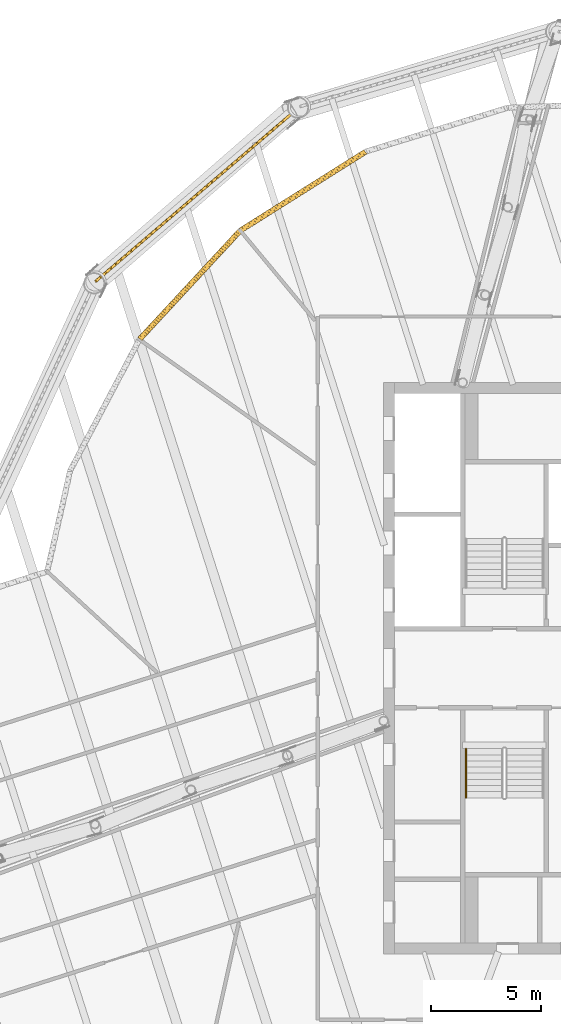
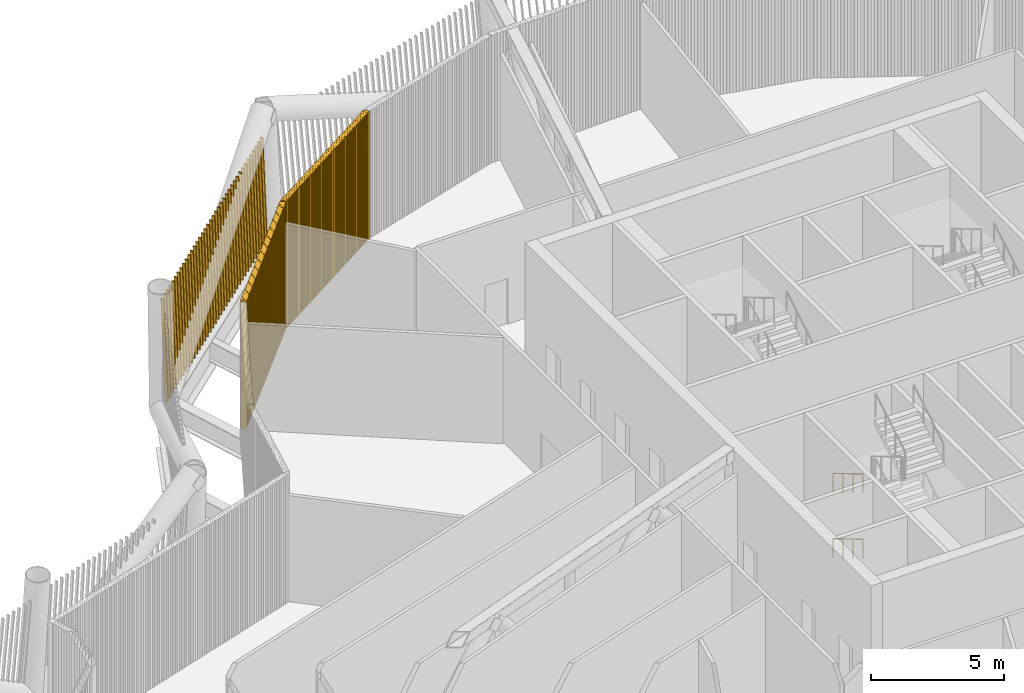
# One storey, part 34 of 40: 3 shading devices, 2 railings.
"""IFC4 building model written with IfcOpenShell, lengths in metres."""

import ifcopenshell
import ifcopenshell.guid

model = None  # the IFC model being written
_history = None  # IfcOwnerHistory: only IFC2X3 demands one
_inside = {}  # id of a spatial element -> (the spatial element, [elements in it])
_under = {}  # id of a project, library or spatial element -> (it, [spatial elements below it])
_declared = {}  # id of a project -> (the project, [libraries it declares])
_typed = {}  # id of a type object -> (the type object, [elements of that type])
_made_of = {}  # id of a material, layer set ... -> (it, [elements and type objects made of it])


def new_model(schema):
    """Start an empty IFC model of exactly this schema.

    Asked for "IFC4X3", IfcOpenShell would pick the latest addendum, in which some entities
    have other attributes; the version numbers below select the first issue.
    IFC2X3 requires an IfcOwnerHistory on every rooted entity: one is made here for all.
    """
    global model, _history
    if schema == "IFC4X3":
        model = ifcopenshell.file(schema_version=(4, 3, 0, 0))
    else:
        model = ifcopenshell.file(schema=schema)
    _inside.clear()
    _under.clear()
    _declared.clear()
    _typed.clear()
    _made_of.clear()
    _history = None
    if model.schema == "IFC2X3":
        org = make("IfcOrganization", Name="unknown")
        user = make(
            "IfcPersonAndOrganization",
            ThePerson=make("IfcPerson", FamilyName="unknown"),
            TheOrganization=org,
        )
        app = make(
            "IfcApplication",
            ApplicationDeveloper=org,
            Version="unknown",
            ApplicationFullName="unknown",
            ApplicationIdentifier="unknown",
        )
        _history = make(
            "IfcOwnerHistory",
            OwningUser=user,
            OwningApplication=app,
            ChangeAction="ADDED",
            CreationDate=0,
        )
    return model


def make(cls, **values):
    """One entity of the class cls with the attributes given. An attribute that is None is left unset."""
    return model.create_entity(
        cls, **{name: value for name, value in values.items() if value is not None}
    )


def rooted(cls, **values):
    """An entity with a GlobalId (a new one), such as an element, a storey or a relation."""
    return make(cls, GlobalId=ifcopenshell.guid.new(), OwnerHistory=_history, **values)


def si_unit(unit_type, name, prefix=None):
    """IfcSIUnit, for example si_unit("LENGTHUNIT", "METRE", prefix="MILLI")."""
    return make("IfcSIUnit", UnitType=unit_type, Prefix=prefix, Name=name)


def assignment(units):
    """IfcUnitAssignment: the units of a project."""
    return None if units is None else make("IfcUnitAssignment", Units=units)


def point(xyz):
    """IfcCartesianPoint."""
    return None if xyz is None else make("IfcCartesianPoint", Coordinates=xyz)


def direction(xyz):
    """IfcDirection."""
    return None if xyz is None else make("IfcDirection", DirectionRatios=xyz)


def frame(location, z_axis=None, x_axis=None):
    """IfcAxis2Placement3D, a coordinate frame: its origin and axes. An axis left out is left unset."""
    return make(
        "IfcAxis2Placement3D",
        Location=point(location),
        Axis=direction(z_axis),
        RefDirection=direction(x_axis),
    )


def frame_2d(location, x_axis=None):
    """IfcAxis2Placement2D, a coordinate frame in the plane: its origin and x axis."""
    return make(
        "IfcAxis2Placement2D", Location=point(location), RefDirection=direction(x_axis)
    )


def origin():
    """The frame at (0, 0, 0) with its axes left unset."""
    return frame((0.0, 0.0, 0.0))


def origin_2d():
    """The frame at (0, 0) in the plane with its x axis left unset."""
    return frame_2d((0.0, 0.0))


def place(relative_to, where):
    """IfcLocalPlacement: puts the frame where relative to a parent placement (None: the world)."""
    return make(
        "IfcLocalPlacement", PlacementRelTo=relative_to, RelativePlacement=where
    )


def context(
    kind, dimensions, precision=None, world=None, true_north=None, identifier=None
):
    """IfcGeometricRepresentationContext, for example the 3D "Model" context."""
    return make(
        "IfcGeometricRepresentationContext",
        ContextIdentifier=identifier,
        ContextType=kind,
        CoordinateSpaceDimension=dimensions,
        Precision=precision,
        WorldCoordinateSystem=world,
        TrueNorth=true_north,
    )


def subcontext(parent, identifier, kind, view, scale=None):
    """IfcGeometricRepresentationSubContext, for example "Body" below "Model"."""
    return make(
        "IfcGeometricRepresentationSubContext",
        ContextIdentifier=identifier,
        ContextType=kind,
        ParentContext=parent,
        TargetScale=scale,
        TargetView=view,
    )


def project(units=None, contexts=None):
    """IfcProject with its units and contexts."""
    return rooted(
        "IfcProject",
        Name="project",
        RepresentationContexts=contexts,
        UnitsInContext=assignment(units),
    )


def spatial(cls, under=None, at=None, **own):
    """A site, building, storey or space (cls), placed at a placement, below another one or the project."""
    s = rooted(cls, ObjectPlacement=at, **own)
    if under is not None:
        _under.setdefault(under.id(), (under, []))[1].append(s)
    return s


def profile(cls, at=None, kind="AREA", **sizes):
    """A parametric profile (cls). Its sizes go by their IFC names, for example OverallWidth=200.0."""
    return make(cls, ProfileType=kind, Position=at, **sizes)


def rectangle(**sizes):
    """IfcRectangleProfileDef."""
    return profile("IfcRectangleProfileDef", **sizes)


def circle(**sizes):
    """IfcCircleProfileDef."""
    return profile("IfcCircleProfileDef", **sizes)


def composite_profile(profiles, kind="AREA"):
    """IfcCompositeProfileDef: several profiles as one."""
    return make("IfcCompositeProfileDef", ProfileType=kind, Profiles=profiles)


def extrude(swept, where, along, depth):
    """IfcExtrudedAreaSolid: the profile swept, set in the frame where, extruded along a direction by depth."""
    return make(
        "IfcExtrudedAreaSolid",
        SweptArea=swept,
        Position=where,
        ExtrudedDirection=direction(along),
        Depth=depth,
    )


def shape(context_of_items, identifier, shape_type, items):
    """IfcShapeRepresentation: the items that make up one representation, for example the "Body"."""
    return make(
        "IfcShapeRepresentation",
        ContextOfItems=context_of_items,
        RepresentationIdentifier=identifier,
        RepresentationType=shape_type,
        Items=items,
    )


def material(Name=None, Category=None):
    """IfcMaterial."""
    return make("IfcMaterial", Name=Name, Category=Category)


def made_of(thing, what):
    """Note that an element or type object is made of a material, layer set ...; save() writes the relation."""
    if what is not None:
        _made_of.setdefault(what.id(), (what, []))[1].append(thing)
    return thing


def type_object(cls, material=None, **own):
    """A type object (cls), such as IfcWallType, which elements share."""
    return made_of(rooted(cls, **own), material)


def element(
    cls,
    number,
    at=None,
    inside=None,
    cuts=None,
    type_object=None,
    material=None,
    context=None,
    identifier="Body",
    shape_type=None,
    held_by="IfcProductDefinitionShape",
    body=None,
    shapes=None,
    **own,
):
    """One element of the class cls, such as IfcWall. Its Tag is "e" and its number.

    at: its placement. inside: the storey or other place that contains it. cuts: it is an
    opening in that element (IfcRelVoidsElement). A single representation is given by context,
    identifier, shape_type and body (its items); several are given by shapes. held_by: the class
    of the entity that holds the representations. save() writes the other relations.
    """
    e = rooted(cls, Tag="e%d" % number, ObjectPlacement=at, **own)
    if body is not None:
        shapes = [shape(context, identifier, shape_type, body)]
    if shapes is not None:
        e.Representation = make(held_by, Representations=shapes)
    if inside is not None:
        _inside.setdefault(inside.id(), (inside, []))[1].append(e)
    if cuts is not None:
        rooted(
            "IfcRelVoidsElement", RelatingBuildingElement=cuts, RelatedOpeningElement=e
        )
    if type_object is not None:
        _typed.setdefault(type_object.id(), (type_object, []))[1].append(e)
    return made_of(e, material)


def aggregate(whole, parts):
    """IfcRelAggregates: a whole, such as a stair, and the parts it consists of."""
    return rooted("IfcRelAggregates", RelatingObject=whole, RelatedObjects=parts)


def save(model, path):
    """Write the relations noted so far, then the file.

    IfcRelAggregates (storeys below a building ...), IfcRelContainedInSpatialStructure (elements
    in a storey), IfcRelDefinesByType, IfcRelAssociatesMaterial and IfcRelDeclares: one each for
    every whole, place, type object, material and project.
    """
    for whole, parts in _under.values():
        aggregate(whole, parts)
    for where, things in _inside.values():
        rooted(
            "IfcRelContainedInSpatialStructure",
            RelatedElements=things,
            RelatingStructure=where,
        )
    for kind, things in _typed.values():
        rooted("IfcRelDefinesByType", RelatedObjects=things, RelatingType=kind)
    for what, things in _made_of.values():
        rooted("IfcRelAssociatesMaterial", RelatedObjects=things, RelatingMaterial=what)
    for by, libraries in _declared.values():
        rooted("IfcRelDeclares", RelatingContext=by, RelatedDefinitions=libraries)
    model.write(path)


model = new_model("IFC4")

# Units and contexts
model_context = context("Model", 3, precision=1e-05, world=origin(), true_north=direction((0.0, 1.0)))
body_context = subcontext(model_context, "Body", "Model", "MODEL_VIEW")
ifc_project = project(units=[si_unit("LENGTHUNIT", "METRE"), si_unit("AREAUNIT", "SQUARE_METRE"), si_unit("VOLUMEUNIT", "CUBIC_METRE"), si_unit("PLANEANGLEUNIT", "RADIAN"), si_unit("MASSUNIT", "GRAM", prefix="KILO")], contexts=[model_context])

# Site, building, storey
site_placement = place(None, origin())
site = spatial("IfcSite", under=ifc_project, at=site_placement, CompositionType="ELEMENT")
building_placement = place(site_placement, origin())
building = spatial("IfcBuilding", under=site, at=building_placement, Name="Tarsis Ring Headquarters", CompositionType="ELEMENT")
storey_placement = place(building_placement, frame((0.0, 0.0, 354.800048828125)))
storey = spatial("IfcBuildingStorey", under=building, at=storey_placement, Name="L84", CompositionType="ELEMENT", Elevation=354.800048828125)

# Railings
ifc_material_1 = material(Name="Steel S355", Category="steel")
railing_type = type_object("IfcRailingType", Name="Core stair handrail 900", PredefinedType="HANDRAIL", material=ifc_material_1)
for number, where, name in (
    (1, (-6.25, -3.659912109375, 0.16650390625), "L84 ST3 stair handrail 1"),
    (2, (-6.25, -3.659912109375, 3.16650390625), "L84 ST3 stair handrail 3"),
):
    element("IfcRailing", number, at=place(storey_placement, frame(where)), inside=storey, type_object=railing_type, Name=name, PredefinedType="HANDRAIL", context=body_context, shape_type="SweptSolid", body=[
        extrude(circle(Radius=0.02392578125, at=origin_2d()), frame((0.0, 0.0, 0.8759765625), z_axis=(0.0, -0.859264461869, 0.511531606619), x_axis=(1.0, 0.0, 0.0)), (0.0, 0.0, 1.0), 2.60693359375),
        extrude(circle(Radius=0.02099609375, at=origin_2d()), origin(), (0.0, 0.0, 1.0), 0.851806640625),
        extrude(circle(Radius=0.02099609375, at=origin_2d()), frame((0.0, -0.74658203125, 0.444580078125)), (0.0, 0.0, 1.0), 0.851806640625),
        extrude(circle(Radius=0.02099609375, at=origin_2d()), frame((0.0, -1.493408203125, 0.888916015625)), (0.0, 0.0, 1.0), 0.851806640625),
        extrude(circle(Radius=0.02099609375, at=origin_2d()), frame((0.0, -2.239990234375, 1.33349609375)), (0.0, 0.0, 1.0), 0.851806640625),
    ])

# Shading devices
ifc_material_2 = material(Name="Aluminium louvre", Category="aluminium")
shading_device_type_1 = type_object("IfcShadingDeviceType", Name="Plant louvre fin", PredefinedType="USERDEFINED", material=ifc_material_2)
shading_device_1_placement = place(storey_placement, frame((-10.817626953125, 23.501708984375, 0.0), z_axis=(0.0, 0.0, 1.0), x_axis=(-0.846360598576, -0.532580270231, 0.0)))
element("IfcShadingDevice", 3, at=shading_device_1_placement, inside=storey, type_object=shading_device_type_1, Name="Louvre L84-27", ObjectType="Louvre", PredefinedType="USERDEFINED", context=body_context, shape_type="SweptSolid", body=[
    extrude(composite_profile([rectangle(XDim=0.1201171875, YDim=0.239990234375, at=frame_2d((0.076171875, 0.0), x_axis=(0.990268068742, 0.13917310096))), rectangle(XDim=0.1201171875, YDim=0.239990234375, at=frame_2d((0.202392578125, 0.0), x_axis=(0.990268068742, 0.13917310096))), rectangle(XDim=0.1201171875, YDim=0.239990234375, at=frame_2d((0.328857421875, 0.0), x_axis=(0.990268068742, 0.13917310096))), rectangle(XDim=0.1201171875, YDim=0.239990234375, at=frame_2d((0.455078125, 0.0), x_axis=(0.990268068742, 0.13917310096))), rectangle(XDim=0.1201171875, YDim=0.239990234375, at=frame_2d((0.58154296875, 0.0), x_axis=(0.990268068742, 0.13917310096))), rectangle(XDim=0.1201171875, YDim=0.239990234375, at=frame_2d((0.707763671875, 0.0), x_axis=(0.990268068742, 0.13917310096))), rectangle(XDim=0.1201171875, YDim=0.239990234375, at=frame_2d((0.834228515625, 0.0), x_axis=(0.990268068742, 0.13917310096))), rectangle(XDim=0.1201171875, YDim=0.239990234375, at=frame_2d((0.96044921875, 0.0), x_axis=(0.990268068742, 0.13917310096))), rectangle(XDim=0.1201171875, YDim=0.239990234375, at=frame_2d((1.0869140625, 0.0), x_axis=(0.990268068742, 0.13917310096))), rectangle(XDim=0.1201171875, YDim=0.239990234375, at=frame_2d((1.213134765625, 0.0), x_axis=(0.990268068742, 0.13917310096))), rectangle(XDim=0.1201171875, YDim=0.239990234375, at=frame_2d((1.339599609375, 0.0), x_axis=(0.990268068742, 0.13917310096))), rectangle(XDim=0.1201171875, YDim=0.239990234375, at=frame_2d((1.4658203125, 0.0), x_axis=(0.990268068742, 0.13917310096))), rectangle(XDim=0.1201171875, YDim=0.239990234375, at=frame_2d((1.59228515625, 0.0), x_axis=(0.990268068742, 0.13917310096))), rectangle(XDim=0.1201171875, YDim=0.239990234375, at=frame_2d((1.718505859375, 0.0), x_axis=(0.990268068742, 0.13917310096))), rectangle(XDim=0.1201171875, YDim=0.239990234375, at=frame_2d((1.8447265625, 0.0), x_axis=(0.990268068742, 0.13917310096))), rectangle(XDim=0.1201171875, YDim=0.239990234375, at=frame_2d((1.97119140625, 0.0), x_axis=(0.990268068742, 0.13917310096))), rectangle(XDim=0.1201171875, YDim=0.239990234375, at=frame_2d((2.097412109375, 0.0), x_axis=(0.990268068742, 0.13917310096))), rectangle(XDim=0.1201171875, YDim=0.239990234375, at=frame_2d((2.223876953125, 0.0), x_axis=(0.990268068742, 0.13917310096))), rectangle(XDim=0.1201171875, YDim=0.239990234375, at=frame_2d((2.35009765625, 0.0), x_axis=(0.990268068742, 0.13917310096))), rectangle(XDim=0.1201171875, YDim=0.239990234375, at=frame_2d((2.4765625, 0.0), x_axis=(0.990268068742, 0.13917310096))), rectangle(XDim=0.1201171875, YDim=0.239990234375, at=frame_2d((2.602783203125, 0.0), x_axis=(0.990268068742, 0.13917310096))), rectangle(XDim=0.1201171875, YDim=0.239990234375, at=frame_2d((2.729248046875, 0.0), x_axis=(0.990268068742, 0.13917310096))), rectangle(XDim=0.1201171875, YDim=0.239990234375, at=frame_2d((2.85546875, 0.0), x_axis=(0.990268068742, 0.13917310096))), rectangle(XDim=0.1201171875, YDim=0.239990234375, at=frame_2d((2.98193359375, 0.0), x_axis=(0.990268068742, 0.13917310096))), rectangle(XDim=0.1201171875, YDim=0.239990234375, at=frame_2d((3.108154296875, 0.0), x_axis=(0.990268068742, 0.13917310096))), rectangle(XDim=0.1201171875, YDim=0.239990234375, at=frame_2d((3.234619140625, 0.0), x_axis=(0.990268068742, 0.13917310096))), rectangle(XDim=0.1201171875, YDim=0.239990234375, at=frame_2d((3.36083984375, 0.0), x_axis=(0.990268068742, 0.13917310096))), rectangle(XDim=0.1201171875, YDim=0.239990234375, at=frame_2d((3.487060546875, 0.0), x_axis=(0.990268068742, 0.13917310096))), rectangle(XDim=0.1201171875, YDim=0.239990234375, at=frame_2d((3.613525390625, 0.0), x_axis=(0.990268068742, 0.13917310096))), rectangle(XDim=0.1201171875, YDim=0.239990234375, at=frame_2d((3.73974609375, 0.0), x_axis=(0.990268068742, 0.13917310096))), rectangle(XDim=0.1201171875, YDim=0.239990234375, at=frame_2d((3.8662109375, 0.0), x_axis=(0.990268068742, 0.13917310096))), rectangle(XDim=0.1201171875, YDim=0.239990234375, at=frame_2d((3.992431640625, 0.0), x_axis=(0.990268068742, 0.13917310096))), rectangle(XDim=0.1201171875, YDim=0.239990234375, at=frame_2d((4.118896484375, 0.0), x_axis=(0.990268068742, 0.13917310096))), rectangle(XDim=0.1201171875, YDim=0.239990234375, at=frame_2d((4.2451171875, 0.0), x_axis=(0.990268068742, 0.13917310096))), rectangle(XDim=0.1201171875, YDim=0.239990234375, at=frame_2d((4.37158203125, 0.0), x_axis=(0.990268068742, 0.13917310096))), rectangle(XDim=0.1201171875, YDim=0.239990234375, at=frame_2d((4.497802734375, 0.0), x_axis=(0.990268068742, 0.13917310096))), rectangle(XDim=0.1201171875, YDim=0.239990234375, at=frame_2d((4.624267578125, 0.0), x_axis=(0.990268068742, 0.13917310096))), rectangle(XDim=0.1201171875, YDim=0.239990234375, at=frame_2d((4.75048828125, 0.0), x_axis=(0.990268068742, 0.13917310096))), rectangle(XDim=0.1201171875, YDim=0.239990234375, at=frame_2d((4.876953125, 0.0), x_axis=(0.990268068742, 0.13917310096))), rectangle(XDim=0.1201171875, YDim=0.239990234375, at=frame_2d((5.003173828125, 0.0), x_axis=(0.990268068742, 0.13917310096))), rectangle(XDim=0.1201171875, YDim=0.239990234375, at=frame_2d((5.12939453125, 0.0), x_axis=(0.990268068742, 0.13917310096))), rectangle(XDim=0.1201171875, YDim=0.239990234375, at=frame_2d((5.255859375, 0.0), x_axis=(0.990268068742, 0.13917310096))), rectangle(XDim=0.1201171875, YDim=0.239990234375, at=frame_2d((5.382080078125, 0.0), x_axis=(0.990268068742, 0.13917310096))), rectangle(XDim=0.1201171875, YDim=0.239990234375, at=frame_2d((5.508544921875, 0.0), x_axis=(0.990268068742, 0.13917310096))), rectangle(XDim=0.1201171875, YDim=0.239990234375, at=frame_2d((5.634765625, 0.0), x_axis=(0.990268068742, 0.13917310096))), rectangle(XDim=0.1201171875, YDim=0.239990234375, at=frame_2d((5.76123046875, 0.0), x_axis=(0.990268068742, 0.13917310096))), rectangle(XDim=0.1201171875, YDim=0.239990234375, at=frame_2d((5.887451171875, 0.0), x_axis=(0.990268068742, 0.13917310096))), rectangle(XDim=0.1201171875, YDim=0.239990234375, at=frame_2d((6.013916015625, 0.0), x_axis=(0.990268068742, 0.13917310096))), rectangle(XDim=0.1201171875, YDim=0.239990234375, at=frame_2d((6.14013671875, 0.0), x_axis=(0.990268068742, 0.13917310096))), rectangle(XDim=0.1201171875, YDim=0.239990234375, at=frame_2d((6.2666015625, 0.0), x_axis=(0.990268068742, 0.13917310096))), rectangle(XDim=0.1201171875, YDim=0.239990234375, at=frame_2d((6.392822265625, 0.0), x_axis=(0.990268068742, 0.13917310096))), rectangle(XDim=0.1201171875, YDim=0.239990234375, at=frame_2d((6.519287109375, 0.0), x_axis=(0.990268068742, 0.13917310096))), rectangle(XDim=0.1201171875, YDim=0.239990234375, at=frame_2d((6.6455078125, 0.0), x_axis=(0.990268068742, 0.13917310096)))]), origin(), (0.0, 0.0, 1.0), 5.83984375),
])
shading_device_2_placement = place(storey_placement, frame((-16.53173828125, 19.901123046875, 0.0), z_axis=(0.0, 0.0, 1.0), x_axis=(-0.679706512658, -0.733500417711, 0.0)))
element("IfcShadingDevice", 4, at=shading_device_2_placement, inside=storey, type_object=shading_device_type_1, Name="Louvre L84-28", ObjectType="Louvre", PredefinedType="USERDEFINED", context=body_context, shape_type="SweptSolid", body=[
    extrude(composite_profile([rectangle(XDim=0.1201171875, YDim=0.239990234375, at=frame_2d((0.076171875, 0.0), x_axis=(0.990268068742, 0.13917310096))), rectangle(XDim=0.1201171875, YDim=0.239990234375, at=frame_2d((0.202392578125, 0.0), x_axis=(0.990268068742, 0.13917310096))), rectangle(XDim=0.1201171875, YDim=0.239990234375, at=frame_2d((0.328857421875, 0.0), x_axis=(0.990268068742, 0.13917310096))), rectangle(XDim=0.1201171875, YDim=0.239990234375, at=frame_2d((0.455078125, 0.0), x_axis=(0.990268068742, 0.13917310096))), rectangle(XDim=0.1201171875, YDim=0.239990234375, at=frame_2d((0.58154296875, 0.0), x_axis=(0.990268068742, 0.13917310096))), rectangle(XDim=0.1201171875, YDim=0.239990234375, at=frame_2d((0.707763671875, 0.0), x_axis=(0.990268068742, 0.13917310096))), rectangle(XDim=0.1201171875, YDim=0.239990234375, at=frame_2d((0.834228515625, 0.0), x_axis=(0.990268068742, 0.13917310096))), rectangle(XDim=0.1201171875, YDim=0.239990234375, at=frame_2d((0.96044921875, 0.0), x_axis=(0.990268068742, 0.13917310096))), rectangle(XDim=0.1201171875, YDim=0.239990234375, at=frame_2d((1.0869140625, 0.0), x_axis=(0.990268068742, 0.13917310096))), rectangle(XDim=0.1201171875, YDim=0.239990234375, at=frame_2d((1.213134765625, 0.0), x_axis=(0.990268068742, 0.13917310096))), rectangle(XDim=0.1201171875, YDim=0.239990234375, at=frame_2d((1.33935546875, 0.0), x_axis=(0.990268068742, 0.13917310096))), rectangle(XDim=0.1201171875, YDim=0.239990234375, at=frame_2d((1.4658203125, 0.0), x_axis=(0.990268068742, 0.13917310096))), rectangle(XDim=0.1201171875, YDim=0.239990234375, at=frame_2d((1.592041015625, 0.0), x_axis=(0.990268068742, 0.13917310096))), rectangle(XDim=0.1201171875, YDim=0.239990234375, at=frame_2d((1.718505859375, 0.0), x_axis=(0.990268068742, 0.13917310096))), rectangle(XDim=0.1201171875, YDim=0.239990234375, at=frame_2d((1.8447265625, 0.0), x_axis=(0.990268068742, 0.13917310096))), rectangle(XDim=0.1201171875, YDim=0.239990234375, at=frame_2d((1.97119140625, 0.0), x_axis=(0.990268068742, 0.13917310096))), rectangle(XDim=0.1201171875, YDim=0.239990234375, at=frame_2d((2.097412109375, 0.0), x_axis=(0.990268068742, 0.13917310096))), rectangle(XDim=0.1201171875, YDim=0.239990234375, at=frame_2d((2.223876953125, 0.0), x_axis=(0.990268068742, 0.13917310096))), rectangle(XDim=0.1201171875, YDim=0.239990234375, at=frame_2d((2.35009765625, 0.0), x_axis=(0.990268068742, 0.13917310096))), rectangle(XDim=0.1201171875, YDim=0.239990234375, at=frame_2d((2.476318359375, 0.0), x_axis=(0.990268068742, 0.13917310096))), rectangle(XDim=0.1201171875, YDim=0.239990234375, at=frame_2d((2.602783203125, 0.0), x_axis=(0.990268068742, 0.13917310096))), rectangle(XDim=0.1201171875, YDim=0.239990234375, at=frame_2d((2.72900390625, 0.0), x_axis=(0.990268068742, 0.13917310096))), rectangle(XDim=0.1201171875, YDim=0.239990234375, at=frame_2d((2.85546875, 0.0), x_axis=(0.990268068742, 0.13917310096))), rectangle(XDim=0.1201171875, YDim=0.239990234375, at=frame_2d((2.981689453125, 0.0), x_axis=(0.990268068742, 0.13917310096))), rectangle(XDim=0.1201171875, YDim=0.239990234375, at=frame_2d((3.108154296875, 0.0), x_axis=(0.990268068742, 0.13917310096))), rectangle(XDim=0.1201171875, YDim=0.239990234375, at=frame_2d((3.234375, 0.0), x_axis=(0.990268068742, 0.13917310096))), rectangle(XDim=0.1201171875, YDim=0.239990234375, at=frame_2d((3.36083984375, 0.0), x_axis=(0.990268068742, 0.13917310096))), rectangle(XDim=0.1201171875, YDim=0.239990234375, at=frame_2d((3.487060546875, 0.0), x_axis=(0.990268068742, 0.13917310096))), rectangle(XDim=0.1201171875, YDim=0.239990234375, at=frame_2d((3.61328125, 0.0), x_axis=(0.990268068742, 0.13917310096))), rectangle(XDim=0.1201171875, YDim=0.239990234375, at=frame_2d((3.73974609375, 0.0), x_axis=(0.990268068742, 0.13917310096))), rectangle(XDim=0.1201171875, YDim=0.239990234375, at=frame_2d((3.865966796875, 0.0), x_axis=(0.990268068742, 0.13917310096))), rectangle(XDim=0.1201171875, YDim=0.239990234375, at=frame_2d((3.992431640625, 0.0), x_axis=(0.990268068742, 0.13917310096))), rectangle(XDim=0.1201171875, YDim=0.239990234375, at=frame_2d((4.11865234375, 0.0), x_axis=(0.990268068742, 0.13917310096))), rectangle(XDim=0.1201171875, YDim=0.239990234375, at=frame_2d((4.2451171875, 0.0), x_axis=(0.990268068742, 0.13917310096))), rectangle(XDim=0.1201171875, YDim=0.239990234375, at=frame_2d((4.371337890625, 0.0), x_axis=(0.990268068742, 0.13917310096))), rectangle(XDim=0.1201171875, YDim=0.239990234375, at=frame_2d((4.49755859375, 0.0), x_axis=(0.990268068742, 0.13917310096))), rectangle(XDim=0.1201171875, YDim=0.239990234375, at=frame_2d((4.6240234375, 0.0), x_axis=(0.990268068742, 0.13917310096))), rectangle(XDim=0.1201171875, YDim=0.239990234375, at=frame_2d((4.750244140625, 0.0), x_axis=(0.990268068742, 0.13917310096))), rectangle(XDim=0.1201171875, YDim=0.239990234375, at=frame_2d((4.876708984375, 0.0), x_axis=(0.990268068742, 0.13917310096))), rectangle(XDim=0.1201171875, YDim=0.239990234375, at=frame_2d((5.0029296875, 0.0), x_axis=(0.990268068742, 0.13917310096))), rectangle(XDim=0.1201171875, YDim=0.239990234375, at=frame_2d((5.12939453125, 0.0), x_axis=(0.990268068742, 0.13917310096))), rectangle(XDim=0.1201171875, YDim=0.239990234375, at=frame_2d((5.255615234375, 0.0), x_axis=(0.990268068742, 0.13917310096))), rectangle(XDim=0.1201171875, YDim=0.239990234375, at=frame_2d((5.382080078125, 0.0), x_axis=(0.990268068742, 0.13917310096))), rectangle(XDim=0.1201171875, YDim=0.239990234375, at=frame_2d((5.50830078125, 0.0), x_axis=(0.990268068742, 0.13917310096))), rectangle(XDim=0.1201171875, YDim=0.239990234375, at=frame_2d((5.634521484375, 0.0), x_axis=(0.990268068742, 0.13917310096))), rectangle(XDim=0.1201171875, YDim=0.239990234375, at=frame_2d((5.760986328125, 0.0), x_axis=(0.990268068742, 0.13917310096))), rectangle(XDim=0.1201171875, YDim=0.239990234375, at=frame_2d((5.88720703125, 0.0), x_axis=(0.990268068742, 0.13917310096))), rectangle(XDim=0.1201171875, YDim=0.239990234375, at=frame_2d((6.013671875, 0.0), x_axis=(0.990268068742, 0.13917310096))), rectangle(XDim=0.1201171875, YDim=0.239990234375, at=frame_2d((6.139892578125, 0.0), x_axis=(0.990268068742, 0.13917310096))), rectangle(XDim=0.1201171875, YDim=0.239990234375, at=frame_2d((6.266357421875, 0.0), x_axis=(0.990268068742, 0.13917310096))), rectangle(XDim=0.1201171875, YDim=0.239990234375, at=frame_2d((6.392578125, 0.0), x_axis=(0.990268068742, 0.13917310096))), rectangle(XDim=0.1201171875, YDim=0.239990234375, at=frame_2d((6.51904296875, 0.0), x_axis=(0.990268068742, 0.13917310096))), rectangle(XDim=0.1201171875, YDim=0.239990234375, at=frame_2d((6.645263671875, 0.0), x_axis=(0.990268068742, 0.13917310096)))]), origin(), (0.0, 0.0, 1.0), 5.83984375),
])
ifc_material_3 = material(Name="Terracotta baguette", Category="masonry")
shading_device_type_2 = type_object("IfcShadingDeviceType", Name="Terracotta baguette screen", PredefinedType="USERDEFINED", material=ifc_material_3)
shading_device_3_placement = place(storey_placement, frame((-14.1806640625, 25.23583984375, 0.0), z_axis=(0.0, 0.0, 1.0), x_axis=(-0.76, -0.64991861096, 0.0)))
element("IfcShadingDevice", 5, at=shading_device_3_placement, inside=storey, type_object=shading_device_type_2, Name="Baguette screen L84-11", ObjectType="Terracotta baguette screen", PredefinedType="USERDEFINED", context=body_context, shape_type="SweptSolid", body=[
    extrude(composite_profile([rectangle(XDim=0.06005859375, YDim=0.1201171875, at=frame_2d((0.030029296875, 0.0))), rectangle(XDim=0.06005859375, YDim=0.1201171875, at=frame_2d((0.33251953125, 0.0))), rectangle(XDim=0.06005859375, YDim=0.1201171875, at=frame_2d((0.634765625, 0.0))), rectangle(XDim=0.06005859375, YDim=0.1201171875, at=frame_2d((0.937255859375, 0.0))), rectangle(XDim=0.06005859375, YDim=0.1201171875, at=frame_2d((1.239501953125, 0.0))), rectangle(XDim=0.06005859375, YDim=0.1201171875, at=frame_2d((1.5419921875, 0.0))), rectangle(XDim=0.06005859375, YDim=0.1201171875, at=frame_2d((1.844482421875, 0.0))), rectangle(XDim=0.06005859375, YDim=0.1201171875, at=frame_2d((2.146728515625, 0.0))), rectangle(XDim=0.06005859375, YDim=0.1201171875, at=frame_2d((2.44921875, 0.0))), rectangle(XDim=0.06005859375, YDim=0.1201171875, at=frame_2d((2.751708984375, 0.0))), rectangle(XDim=0.06005859375, YDim=0.1201171875, at=frame_2d((3.053955078125, 0.0))), rectangle(XDim=0.06005859375, YDim=0.1201171875, at=frame_2d((3.3564453125, 0.0))), rectangle(XDim=0.06005859375, YDim=0.1201171875, at=frame_2d((3.65869140625, 0.0))), rectangle(XDim=0.06005859375, YDim=0.1201171875, at=frame_2d((3.961181640625, 0.0))), rectangle(XDim=0.06005859375, YDim=0.1201171875, at=frame_2d((4.263671875, 0.0))), rectangle(XDim=0.06005859375, YDim=0.1201171875, at=frame_2d((4.56591796875, 0.0))), rectangle(XDim=0.06005859375, YDim=0.1201171875, at=frame_2d((4.868408203125, 0.0))), rectangle(XDim=0.06005859375, YDim=0.1201171875, at=frame_2d((5.1708984375, 0.0))), rectangle(XDim=0.06005859375, YDim=0.1201171875, at=frame_2d((5.47314453125, 0.0))), rectangle(XDim=0.06005859375, YDim=0.1201171875, at=frame_2d((5.775634765625, 0.0))), rectangle(XDim=0.06005859375, YDim=0.1201171875, at=frame_2d((6.077880859375, 0.0))), rectangle(XDim=0.06005859375, YDim=0.1201171875, at=frame_2d((6.38037109375, 0.0))), rectangle(XDim=0.06005859375, YDim=0.1201171875, at=frame_2d((6.682861328125, 0.0))), rectangle(XDim=0.06005859375, YDim=0.1201171875, at=frame_2d((6.985107421875, 0.0))), rectangle(XDim=0.06005859375, YDim=0.1201171875, at=frame_2d((7.28759765625, 0.0))), rectangle(XDim=0.06005859375, YDim=0.1201171875, at=frame_2d((7.590087890625, 0.0))), rectangle(XDim=0.06005859375, YDim=0.1201171875, at=frame_2d((7.892333984375, 0.0))), rectangle(XDim=0.06005859375, YDim=0.1201171875, at=frame_2d((8.19482421875, 0.0))), rectangle(XDim=0.06005859375, YDim=0.1201171875, at=frame_2d((8.4970703125, 0.0))), rectangle(XDim=0.06005859375, YDim=0.1201171875, at=frame_2d((8.799560546875, 0.0))), rectangle(XDim=0.06005859375, YDim=0.1201171875, at=frame_2d((9.10205078125, 0.0))), rectangle(XDim=0.06005859375, YDim=0.1201171875, at=frame_2d((9.404296875, 0.0))), rectangle(XDim=0.06005859375, YDim=0.1201171875, at=frame_2d((9.706787109375, 0.0))), rectangle(XDim=0.06005859375, YDim=0.1201171875, at=frame_2d((10.00927734375, 0.0))), rectangle(XDim=0.06005859375, YDim=0.1201171875, at=frame_2d((10.3115234375, 0.0))), rectangle(XDim=0.06005859375, YDim=0.1201171875, at=frame_2d((10.614013671875, 0.0))), rectangle(XDim=0.06005859375, YDim=0.1201171875, at=frame_2d((10.916259765625, 0.0))), rectangle(XDim=0.06005859375, YDim=0.1201171875, at=frame_2d((11.21875, 0.0)))]), origin(), (0.100925312807, 0.000916962906, 0.994893582457), 5.106689453125),
])

save(model, "model.ifc")
